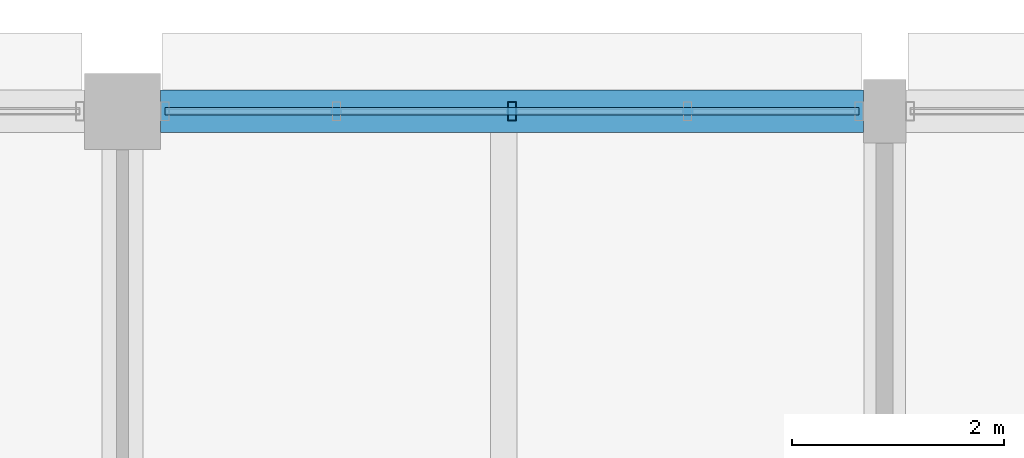
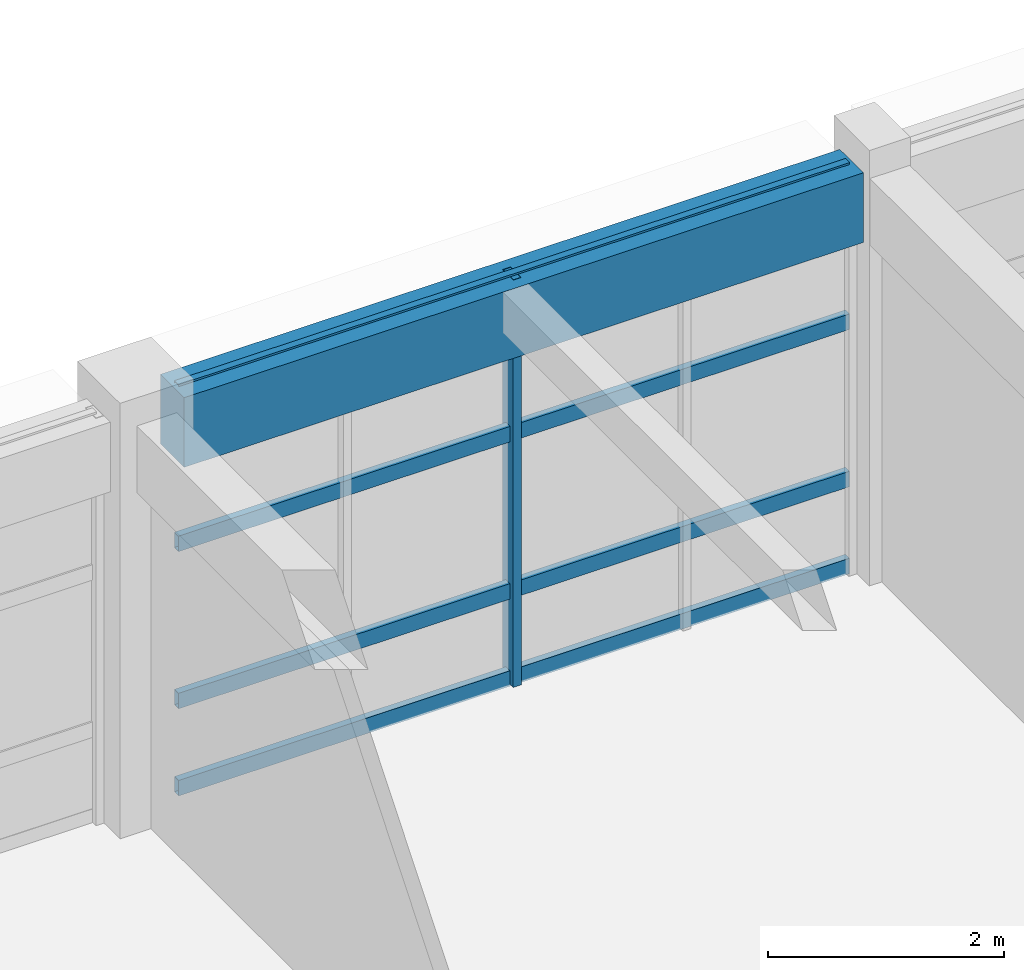
# One storey, part 86 of 171: 5 members, 1 beam, 1 element without a shape of its own.
"""IFC4 building model written with IfcOpenShell, lengths in metres."""

from ifc_helpers import new_model, si_unit, direction, frame, origin, origin_2d, place, context, subcontext, project, spatial, rectangle, hollow_rectangle, extrude, material, material_profile, profile_set, type_object, element, aggregate, save


model = new_model("IFC4")

# Units and contexts
model_context = context("Model", 3, precision=1e-05, world=origin(), true_north=direction((0.0, 1.0)))
body_context = subcontext(model_context, "Body", "Model", "MODEL_VIEW")
ifc_project = project(units=[si_unit("LENGTHUNIT", "METRE"), si_unit("AREAUNIT", "SQUARE_METRE"), si_unit("VOLUMEUNIT", "CUBIC_METRE"), si_unit("PLANEANGLEUNIT", "RADIAN"), si_unit("MASSUNIT", "GRAM", prefix="KILO")], contexts=[model_context])

# Site, building, storey
site_placement = place(None, origin())
site = spatial("IfcSite", under=ifc_project, at=site_placement, CompositionType="ELEMENT")
building_placement = place(site_placement, origin())
building = spatial("IfcBuilding", under=site, at=building_placement, Name="Thalmaran Polytechnic", CompositionType="ELEMENT")
storey_placement = place(building_placement, frame((0.0, 0.0, 5.39990234375)))
storey = spatial("IfcBuildingStorey", under=building, at=storey_placement, Name="L01", CompositionType="ELEMENT", Elevation=5.39990234375)

# Beam
ifc_material_1 = material(Name="Concrete C40/50", Category="concrete")
ifc_material_profile_1 = material_profile(ifc_material_1, rectangle(XDim=0.39990234375, YDim=0.719970703125, at=origin_2d()), Name="RC 400x720")
ifc_profile_set_1 = profile_set([ifc_material_profile_1], Name="Concrete C40/50")
beam_type = type_object("IfcBeamType", Name="BM-SP01", PredefinedType="SPANDREL", material=ifc_profile_set_1)
beam_placement = place(storey_placement, frame((122.760009765625, 122.39990234375, 3.85009765625), z_axis=(1.0, 0.0, 0.0), x_axis=(0.0, 1.0, 0.0)))
element("IfcBeam", 1, at=beam_placement, inside=storey, type_object=beam_type, Name="Grid Beam SP01 L01 X(17,17)", PredefinedType="SPANDREL", context=body_context, shape_type="SweptSolid", body=[
    extrude(rectangle(XDim=0.39990234375, YDim=0.719970703125, at=origin_2d()), origin(), (0.0, 0.0, 1.0), 6.639892578125),
])

# Curtain wall, members
ifc_material_2 = material(Name="Aluminium 6063-T6", Category="aluminium")
curtain_wall_type = type_object("IfcCurtainWallType", Name="CW-UC02", PredefinedType="USERDEFINED", material=ifc_material_2)
curtain_wall_placement = place(storey_placement, origin())
curtain_wall = element("IfcCurtainWall", 2, at=curtain_wall_placement, inside=storey, type_object=curtain_wall_type, Name="Curtain Wall CW-L01-096", ObjectType="UNITISED CURTAIN WALL", PredefinedType="USERDEFINED")
ifc_material_profile_2 = material_profile(ifc_material_2, hollow_rectangle(XDim=0.080078125, YDim=0.179931640625, WallThickness=0.0048828125, at=origin_2d()), Name="RHS 180x80x5.0")
ifc_profile_set_2 = profile_set([ifc_material_profile_2], Name="Aluminium 6063-T6")
member_type_1 = type_object("IfcMemberType", Name="CW-MUL1", PredefinedType="MULLION", material=ifc_profile_set_2)
member_1_placement = place(storey_placement, frame((126.080078125, 122.39990234375, 0.0), z_axis=(0.0, 0.0, 1.0), x_axis=(1.0, 0.0, 0.0)))
member_1 = element("IfcMember", 3, at=member_1_placement, type_object=member_type_1, Name="CW-L01-096 Mullion 3", PredefinedType="MULLION", context=body_context, shape_type="SweptSolid", body=[
    extrude(hollow_rectangle(XDim=0.080078125, YDim=0.179931640625, WallThickness=0.0048828125, at=origin_2d()), origin(), (0.0, 0.0, 1.0), 4.210205078125),
])
ifc_material_profile_3 = material_profile(ifc_material_2, hollow_rectangle(XDim=0.070068359375, YDim=0.159912109375, WallThickness=0.00390625, at=origin_2d()), Name="AL 160x70x4.0")
ifc_profile_set_3 = profile_set([ifc_material_profile_3], Name="Aluminium 6063-T6")
member_type_2 = type_object("IfcMemberType", Name="CW-TRN1", PredefinedType="USERDEFINED", material=ifc_profile_set_3)
member_2_placement = place(storey_placement, frame((122.800048828125, 122.39990234375, 0.06005859375), z_axis=(1.0, 0.0, 0.0), x_axis=(0.0, 1.0, 0.0)))
member_2 = element("IfcMember", 4, at=member_2_placement, type_object=member_type_2, Name="CW-L01-096 Transom 1", ObjectType="TRANSOM", PredefinedType="USERDEFINED", context=body_context, shape_type="SweptSolid", body=[
    extrude(hollow_rectangle(XDim=0.070068359375, YDim=0.159912109375, WallThickness=0.00390625, at=origin_2d()), origin(), (0.0, 0.0, 1.0), 6.56005859375),
])
member_3_placement = place(storey_placement, frame((122.800048828125, 122.39990234375, 0.960205078125), z_axis=(1.0, 0.0, 0.0), x_axis=(0.0, 1.0, 0.0)))
member_3 = element("IfcMember", 5, at=member_3_placement, type_object=member_type_2, Name="CW-L01-096 Transom 2", ObjectType="TRANSOM", PredefinedType="USERDEFINED", context=body_context, shape_type="SweptSolid", body=[
    extrude(hollow_rectangle(XDim=0.070068359375, YDim=0.159912109375, WallThickness=0.00390625, at=origin_2d()), origin(), (0.0, 0.0, 1.0), 6.56005859375),
])
member_4_placement = place(storey_placement, frame((122.800048828125, 122.39990234375, 2.585205078125), z_axis=(1.0, 0.0, 0.0), x_axis=(0.0, 1.0, 0.0)))
member_4 = element("IfcMember", 6, at=member_4_placement, type_object=member_type_2, Name="CW-L01-096 Transom 3", ObjectType="TRANSOM", PredefinedType="USERDEFINED", context=body_context, shape_type="SweptSolid", body=[
    extrude(hollow_rectangle(XDim=0.070068359375, YDim=0.159912109375, WallThickness=0.00390625, at=origin_2d()), origin(), (0.0, 0.0, 1.0), 6.56005859375),
])
member_5_placement = place(storey_placement, frame((122.800048828125, 122.39990234375, 4.150146484375), z_axis=(1.0, 0.0, 0.0), x_axis=(0.0, 1.0, 0.0)))
member_5 = element("IfcMember", 7, at=member_5_placement, type_object=member_type_2, Name="CW-L01-096 Transom 4", ObjectType="TRANSOM", PredefinedType="USERDEFINED", context=body_context, shape_type="SweptSolid", body=[
    extrude(hollow_rectangle(XDim=0.070068359375, YDim=0.159912109375, WallThickness=0.00390625, at=origin_2d()), origin(), (0.0, 0.0, 1.0), 6.56005859375),
])
aggregate(curtain_wall, [member_1, member_2, member_3, member_4, member_5])

save(model, "model.ifc")
